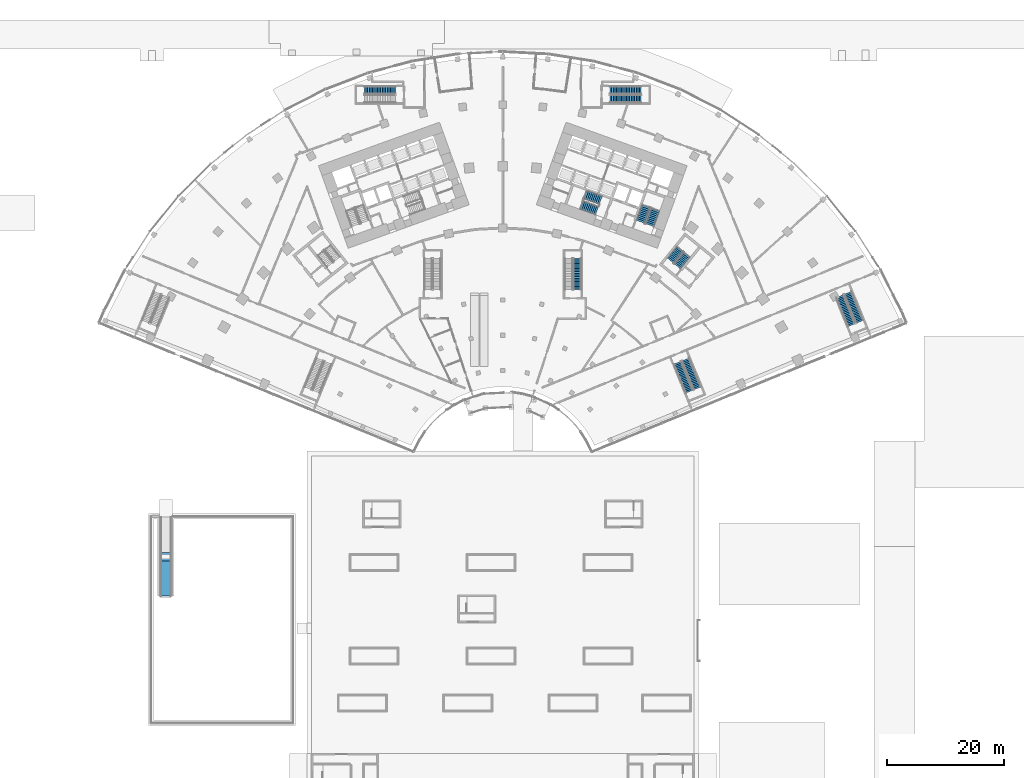
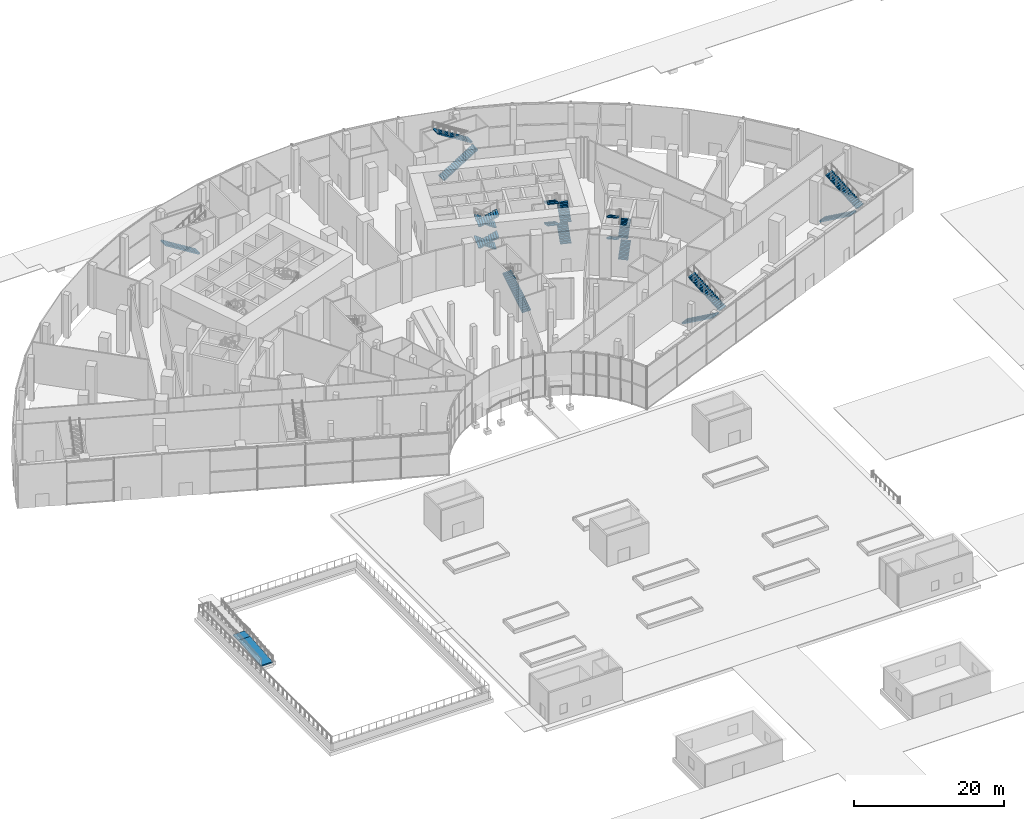
# One storey, part 40 of 60: 20 stair flights, 2 ramp flights, 9 elements without a shape of their own.
"""IFC4 building model written with IfcOpenShell, lengths in metres."""

from ifc_helpers import new_model, si_unit, direction, frame, origin, place, context, subcontext, project, spatial, polyline, outline, extrude, material, layer, layer_set, type_object, element, aggregate, save


model = new_model("IFC4")

# Units and contexts
model_context = context("Model", 3, precision=1e-05, world=origin(), true_north=direction((0.0, 1.0)))
body_context = subcontext(model_context, "Body", "Model", "MODEL_VIEW")
ifc_project = project(units=[si_unit("LENGTHUNIT", "METRE"), si_unit("AREAUNIT", "SQUARE_METRE"), si_unit("VOLUMEUNIT", "CUBIC_METRE"), si_unit("PLANEANGLEUNIT", "RADIAN"), si_unit("MASSUNIT", "GRAM", prefix="KILO")], contexts=[model_context])

# Site, building, storey
site_placement = place(None, origin())
site = spatial("IfcSite", under=ifc_project, at=site_placement, CompositionType="ELEMENT")
building_placement = place(site_placement, origin())
building = spatial("IfcBuilding", under=site, at=building_placement, Name="Stone Belt Terrace Tower", CompositionType="ELEMENT")
storey_placement = place(building_placement, origin())
storey = spatial("IfcBuildingStorey", under=building, at=storey_placement, Name="L00", CompositionType="ELEMENT", Elevation=0.0)

# Stair, stair flights
ifc_material_1 = material(Name="Concrete B30", Category="concrete")
stair_type_1 = type_object("IfcStairType", Name="Podium stair concrete B30", PredefinedType="HALF_TURN_STAIR", material=ifc_material_1)
stair_1_placement = place(storey_placement, origin())
stair_1 = element("IfcStair", 1, at=stair_1_placement, inside=storey, type_object=stair_type_1, Name="L00 podium exit stair 3", PredefinedType="HALF_TURN_STAIR")
ifc_layer_1 = layer(ifc_material_1, 0.14990234375)
ifc_layer_set_1 = layer_set([ifc_layer_1], Name="Podium stair flight concrete B30")
stair_flight_type_1 = type_object("IfcStairFlightType", Name="Podium stair flight concrete B30", PredefinedType="STRAIGHT", material=ifc_layer_set_1)
stair_flight_1_placement = place(storey_placement, frame((29.8671875, 21.395263671875, 0.0), z_axis=(0.0, 0.0, 1.0), x_axis=(0.37924309334, -0.925297074541, 0.0)))
stair_flight_1 = element("IfcStairFlight", 2, at=stair_flight_1_placement, type_object=stair_flight_type_1, Name="PS3 flight 1", NumberOfRisers=20, NumberOfTreads=19, PredefinedType="STRAIGHT", RiserHeight=0.175, TreadLength=0.28, context=body_context, shape_type="SweptSolid", body=[
    extrude(outline(polyline([(0.0, 0.0), (0.0, 0.175048828125), (0.280029296875, 0.175048828125), (0.280029296875, 0.35009765625), (0.56005859375, 0.35009765625), (0.56005859375, 0.52490234375), (0.840087890625, 0.52490234375), (0.840087890625, 0.699951171875), (1.1201171875, 0.699951171875), (1.1201171875, 0.875), (1.39990234375, 0.875), (1.39990234375, 1.050048828125), (1.679931640625, 1.050048828125), (1.679931640625, 1.22509765625), (1.9599609375, 1.22509765625), (1.9599609375, 1.39990234375), (2.239990234375, 1.39990234375), (2.239990234375, 1.574951171875), (2.52001953125, 1.574951171875), (2.52001953125, 1.75), (2.800048828125, 1.75), (2.800048828125, 1.925048828125), (3.080078125, 1.925048828125), (3.080078125, 2.10009765625), (3.360107421875, 2.10009765625), (3.360107421875, 2.27490234375), (3.639892578125, 2.27490234375), (3.639892578125, 2.449951171875), (3.919921875, 2.449951171875), (3.919921875, 2.625), (4.199951171875, 2.625), (4.199951171875, 2.800048828125), (4.47998046875, 2.800048828125), (4.47998046875, 2.97509765625), (4.760009765625, 2.97509765625), (4.760009765625, 3.14990234375), (5.0400390625, 3.14990234375), (5.0400390625, 3.324951171875), (5.320068359375, 3.324951171875), (5.320068359375, 3.5), (5.320068359375, 3.148193359375), (0.28271484375, 0.0), (0.0, 0.0)])), frame((0.0, 0.675048828125, 0.0), z_axis=(0.0, -1.0, 0.0), x_axis=(1.0, 0.0, 0.0)), (0.0, 0.0, 1.0), 1.35009765625),
])
stair_flight_2_placement = place(storey_placement, frame((33.272705078125, 17.04150390625, 3.5), z_axis=(0.0, 0.0, 1.0), x_axis=(-0.37924309334, 0.925297074541, 0.0)))
stair_flight_2 = element("IfcStairFlight", 3, at=stair_flight_2_placement, type_object=stair_flight_type_1, Name="PS3 flight 2", NumberOfRisers=20, NumberOfTreads=19, PredefinedType="STRAIGHT", RiserHeight=0.175, TreadLength=0.28, context=body_context, shape_type="SweptSolid", body=[
    extrude(outline(polyline([(0.0, 0.0), (0.0, 0.175048828125), (0.280029296875, 0.175048828125), (0.280029296875, 0.35009765625), (0.56005859375, 0.35009765625), (0.56005859375, 0.52490234375), (0.840087890625, 0.52490234375), (0.840087890625, 0.699951171875), (1.1201171875, 0.699951171875), (1.1201171875, 0.875), (1.39990234375, 0.875), (1.39990234375, 1.050048828125), (1.679931640625, 1.050048828125), (1.679931640625, 1.22509765625), (1.9599609375, 1.22509765625), (1.9599609375, 1.39990234375), (2.239990234375, 1.39990234375), (2.239990234375, 1.574951171875), (2.52001953125, 1.574951171875), (2.52001953125, 1.75), (2.800048828125, 1.75), (2.800048828125, 1.925048828125), (3.080078125, 1.925048828125), (3.080078125, 2.10009765625), (3.360107421875, 2.10009765625), (3.360107421875, 2.27490234375), (3.639892578125, 2.27490234375), (3.639892578125, 2.449951171875), (3.919921875, 2.449951171875), (3.919921875, 2.625), (4.199951171875, 2.625), (4.199951171875, 2.800048828125), (4.47998046875, 2.800048828125), (4.47998046875, 2.97509765625), (4.760009765625, 2.97509765625), (4.760009765625, 3.14990234375), (5.0400390625, 3.14990234375), (5.0400390625, 3.324951171875), (5.320068359375, 3.324951171875), (5.320068359375, 3.5), (5.320068359375, 3.148193359375), (0.28271484375, 0.0), (0.0, 0.0)])), frame((0.0, 0.675048828125, 0.0), z_axis=(0.0, -1.0, 0.0), x_axis=(1.0, 0.0, 0.0)), (0.0, 0.0, 1.0), 1.35009765625),
])
aggregate(stair_1, [stair_flight_1, stair_flight_2])

stair_2_placement = place(storey_placement, origin())
stair_2 = element("IfcStair", 4, at=stair_2_placement, inside=storey, type_object=stair_type_1, Name="L00 podium exit stair 4", PredefinedType="HALF_TURN_STAIR")
stair_flight_3_placement = place(storey_placement, frame((57.6259765625, 32.7724609375, 0.0), z_axis=(0.0, 0.0, 1.0), x_axis=(0.37924309334, -0.925297074541, 0.0)))
stair_flight_3 = element("IfcStairFlight", 5, at=stair_flight_3_placement, type_object=stair_flight_type_1, Name="PS4 flight 1", NumberOfRisers=20, NumberOfTreads=19, PredefinedType="STRAIGHT", RiserHeight=0.175, TreadLength=0.28, context=body_context, shape_type="SweptSolid", body=[
    extrude(outline(polyline([(0.0, 0.0), (0.0, 0.175048828125), (0.280029296875, 0.175048828125), (0.280029296875, 0.35009765625), (0.56005859375, 0.35009765625), (0.56005859375, 0.52490234375), (0.840087890625, 0.52490234375), (0.840087890625, 0.699951171875), (1.1201171875, 0.699951171875), (1.1201171875, 0.875), (1.39990234375, 0.875), (1.39990234375, 1.050048828125), (1.679931640625, 1.050048828125), (1.679931640625, 1.22509765625), (1.9599609375, 1.22509765625), (1.9599609375, 1.39990234375), (2.239990234375, 1.39990234375), (2.239990234375, 1.574951171875), (2.52001953125, 1.574951171875), (2.52001953125, 1.75), (2.800048828125, 1.75), (2.800048828125, 1.925048828125), (3.080078125, 1.925048828125), (3.080078125, 2.10009765625), (3.360107421875, 2.10009765625), (3.360107421875, 2.27490234375), (3.639892578125, 2.27490234375), (3.639892578125, 2.449951171875), (3.919921875, 2.449951171875), (3.919921875, 2.625), (4.199951171875, 2.625), (4.199951171875, 2.800048828125), (4.47998046875, 2.800048828125), (4.47998046875, 2.97509765625), (4.760009765625, 2.97509765625), (4.760009765625, 3.14990234375), (5.0400390625, 3.14990234375), (5.0400390625, 3.324951171875), (5.320068359375, 3.324951171875), (5.320068359375, 3.5), (5.320068359375, 3.148193359375), (0.28271484375, 0.0), (0.0, 0.0)])), frame((0.0, 0.675048828125, 0.0), z_axis=(0.0, -1.0, 0.0), x_axis=(1.0, 0.0, 0.0)), (0.0, 0.0, 1.0), 1.35009765625),
])
stair_flight_4_placement = place(storey_placement, frame((61.031494140625, 28.418701171875, 3.5), z_axis=(0.0, 0.0, 1.0), x_axis=(-0.37924309334, 0.925297074541, 0.0)))
stair_flight_4 = element("IfcStairFlight", 6, at=stair_flight_4_placement, type_object=stair_flight_type_1, Name="PS4 flight 2", NumberOfRisers=20, NumberOfTreads=19, PredefinedType="STRAIGHT", RiserHeight=0.175, TreadLength=0.28, context=body_context, shape_type="SweptSolid", body=[
    extrude(outline(polyline([(0.0, 0.0), (0.0, 0.175048828125), (0.280029296875, 0.175048828125), (0.280029296875, 0.35009765625), (0.56005859375, 0.35009765625), (0.56005859375, 0.52490234375), (0.840087890625, 0.52490234375), (0.840087890625, 0.699951171875), (1.1201171875, 0.699951171875), (1.1201171875, 0.875), (1.39990234375, 0.875), (1.39990234375, 1.050048828125), (1.679931640625, 1.050048828125), (1.679931640625, 1.22509765625), (1.9599609375, 1.22509765625), (1.9599609375, 1.39990234375), (2.239990234375, 1.39990234375), (2.239990234375, 1.574951171875), (2.52001953125, 1.574951171875), (2.52001953125, 1.75), (2.800048828125, 1.75), (2.800048828125, 1.925048828125), (3.080078125, 1.925048828125), (3.080078125, 2.10009765625), (3.360107421875, 2.10009765625), (3.360107421875, 2.27490234375), (3.639892578125, 2.27490234375), (3.639892578125, 2.449951171875), (3.919921875, 2.449951171875), (3.919921875, 2.625), (4.199951171875, 2.625), (4.199951171875, 2.800048828125), (4.47998046875, 2.800048828125), (4.47998046875, 2.97509765625), (4.760009765625, 2.97509765625), (4.760009765625, 3.14990234375), (5.0400390625, 3.14990234375), (5.0400390625, 3.324951171875), (5.320068359375, 3.324951171875), (5.320068359375, 3.5), (5.320068359375, 3.148193359375), (0.28271484375, 0.0), (0.0, 0.0)])), frame((0.0, 0.675048828125, 0.0), z_axis=(0.0, -1.0, 0.0), x_axis=(1.0, 0.0, 0.0)), (0.0, 0.0, 1.0), 1.35009765625),
])
aggregate(stair_2, [stair_flight_3, stair_flight_4])

# Stair, stair flight
stair_3_placement = place(storey_placement, origin())
stair_3 = element("IfcStair", 7, at=stair_3_placement, inside=storey, type_object=stair_type_1, Name="L00 podium exit stair 6", PredefinedType="HALF_TURN_STAIR")
stair_flight_5_placement = place(storey_placement, frame((12.75, 33.889892578125, 0.0), z_axis=(0.0, 0.0, 1.0), x_axis=(0.0, 1.0, 0.0)))
stair_flight_5 = element("IfcStairFlight", 8, at=stair_flight_5_placement, type_object=stair_flight_type_1, Name="PS6 flight 1", NumberOfRisers=20, NumberOfTreads=19, PredefinedType="STRAIGHT", RiserHeight=0.175, TreadLength=0.28, context=body_context, shape_type="SweptSolid", body=[
    extrude(outline(polyline([(0.0, 0.0), (0.0, 0.175048828125), (0.280029296875, 0.175048828125), (0.280029296875, 0.35009765625), (0.56005859375, 0.35009765625), (0.56005859375, 0.52490234375), (0.840087890625, 0.52490234375), (0.840087890625, 0.699951171875), (1.1201171875, 0.699951171875), (1.1201171875, 0.875), (1.39990234375, 0.875), (1.39990234375, 1.050048828125), (1.679931640625, 1.050048828125), (1.679931640625, 1.22509765625), (1.9599609375, 1.22509765625), (1.9599609375, 1.39990234375), (2.239990234375, 1.39990234375), (2.239990234375, 1.574951171875), (2.52001953125, 1.574951171875), (2.52001953125, 1.75), (2.800048828125, 1.75), (2.800048828125, 1.925048828125), (3.080078125, 1.925048828125), (3.080078125, 2.10009765625), (3.360107421875, 2.10009765625), (3.360107421875, 2.27490234375), (3.639892578125, 2.27490234375), (3.639892578125, 2.449951171875), (3.919921875, 2.449951171875), (3.919921875, 2.625), (4.199951171875, 2.625), (4.199951171875, 2.800048828125), (4.47998046875, 2.800048828125), (4.47998046875, 2.97509765625), (4.760009765625, 2.97509765625), (4.760009765625, 3.14990234375), (5.0400390625, 3.14990234375), (5.0400390625, 3.324951171875), (5.320068359375, 3.324951171875), (5.320068359375, 3.5), (5.320068359375, 3.148193359375), (0.28271484375, 0.0), (0.0, 0.0)])), frame((0.0, 0.675048828125, 0.0), z_axis=(0.0, -1.0, 0.0), x_axis=(1.0, 0.0, 0.0)), (0.0, 0.0, 1.0), 1.35009765625),
])
aggregate(stair_3, [stair_flight_5])

stair_4_placement = place(storey_placement, origin())
stair_4 = element("IfcStair", 9, at=stair_4_placement, inside=storey, type_object=stair_type_1, Name="L00 podium exit stair 7", PredefinedType="HALF_TURN_STAIR")
stair_flight_6_placement = place(storey_placement, frame((-18.340087890625, 68.0, 0.0), z_axis=(0.0, 0.0, 1.0), x_axis=(-1.0, 0.0, 0.0)))
stair_flight_6 = element("IfcStairFlight", 10, at=stair_flight_6_placement, type_object=stair_flight_type_1, Name="PS7 flight 1", NumberOfRisers=20, NumberOfTreads=19, PredefinedType="STRAIGHT", RiserHeight=0.175, TreadLength=0.28, context=body_context, shape_type="SweptSolid", body=[
    extrude(outline(polyline([(0.0, 0.0), (0.0, 0.175048828125), (0.280029296875, 0.175048828125), (0.280029296875, 0.35009765625), (0.56005859375, 0.35009765625), (0.56005859375, 0.52490234375), (0.840087890625, 0.52490234375), (0.840087890625, 0.699951171875), (1.1201171875, 0.699951171875), (1.1201171875, 0.875), (1.39990234375, 0.875), (1.39990234375, 1.050048828125), (1.679931640625, 1.050048828125), (1.679931640625, 1.22509765625), (1.9599609375, 1.22509765625), (1.9599609375, 1.39990234375), (2.239990234375, 1.39990234375), (2.239990234375, 1.574951171875), (2.52001953125, 1.574951171875), (2.52001953125, 1.75), (2.800048828125, 1.75), (2.800048828125, 1.925048828125), (3.080078125, 1.925048828125), (3.080078125, 2.10009765625), (3.360107421875, 2.10009765625), (3.360107421875, 2.27490234375), (3.639892578125, 2.27490234375), (3.639892578125, 2.449951171875), (3.919921875, 2.449951171875), (3.919921875, 2.625), (4.199951171875, 2.625), (4.199951171875, 2.800048828125), (4.47998046875, 2.800048828125), (4.47998046875, 2.97509765625), (4.760009765625, 2.97509765625), (4.760009765625, 3.14990234375), (5.0400390625, 3.14990234375), (5.0400390625, 3.324951171875), (5.320068359375, 3.324951171875), (5.320068359375, 3.5), (5.320068359375, 3.148193359375), (0.28271484375, 0.0), (0.0, 0.0)])), frame((0.0, 0.675048828125, 0.0), z_axis=(0.0, -1.0, 0.0), x_axis=(1.0, 0.0, 0.0)), (0.0, 0.0, 1.0), 1.35009765625),
])
aggregate(stair_4, [stair_flight_6])

# Stair, stair flights
stair_5_placement = place(storey_placement, origin())
stair_5 = element("IfcStair", 11, at=stair_5_placement, inside=storey, type_object=stair_type_1, Name="L00 podium exit stair 8", PredefinedType="HALF_TURN_STAIR")
stair_flight_7_placement = place(storey_placement, frame((18.340087890625, 66.5, 0.0), z_axis=(0.0, 0.0, 1.0), x_axis=(1.0, 0.0, 0.0)))
stair_flight_7 = element("IfcStairFlight", 12, at=stair_flight_7_placement, type_object=stair_flight_type_1, Name="PS8 flight 1", NumberOfRisers=20, NumberOfTreads=19, PredefinedType="STRAIGHT", RiserHeight=0.175, TreadLength=0.28, context=body_context, shape_type="SweptSolid", body=[
    extrude(outline(polyline([(0.0, 0.0), (0.0, 0.175048828125), (0.280029296875, 0.175048828125), (0.280029296875, 0.35009765625), (0.56005859375, 0.35009765625), (0.56005859375, 0.52490234375), (0.840087890625, 0.52490234375), (0.840087890625, 0.699951171875), (1.1201171875, 0.699951171875), (1.1201171875, 0.875), (1.39990234375, 0.875), (1.39990234375, 1.050048828125), (1.679931640625, 1.050048828125), (1.679931640625, 1.22509765625), (1.9599609375, 1.22509765625), (1.9599609375, 1.39990234375), (2.239990234375, 1.39990234375), (2.239990234375, 1.574951171875), (2.52001953125, 1.574951171875), (2.52001953125, 1.75), (2.800048828125, 1.75), (2.800048828125, 1.925048828125), (3.080078125, 1.925048828125), (3.080078125, 2.10009765625), (3.360107421875, 2.10009765625), (3.360107421875, 2.27490234375), (3.639892578125, 2.27490234375), (3.639892578125, 2.449951171875), (3.919921875, 2.449951171875), (3.919921875, 2.625), (4.199951171875, 2.625), (4.199951171875, 2.800048828125), (4.47998046875, 2.800048828125), (4.47998046875, 2.97509765625), (4.760009765625, 2.97509765625), (4.760009765625, 3.14990234375), (5.0400390625, 3.14990234375), (5.0400390625, 3.324951171875), (5.320068359375, 3.324951171875), (5.320068359375, 3.5), (5.320068359375, 3.148193359375), (0.28271484375, 0.0), (0.0, 0.0)])), frame((0.0, 0.675048828125, 0.0), z_axis=(0.0, -1.0, 0.0), x_axis=(1.0, 0.0, 0.0)), (0.0, 0.0, 1.0), 1.35009765625),
])
stair_flight_8_placement = place(storey_placement, frame((23.659912109375, 68.0, 3.5), z_axis=(0.0, 0.0, 1.0), x_axis=(-1.0, 0.0, 0.0)))
stair_flight_8 = element("IfcStairFlight", 13, at=stair_flight_8_placement, type_object=stair_flight_type_1, Name="PS8 flight 2", NumberOfRisers=20, NumberOfTreads=19, PredefinedType="STRAIGHT", RiserHeight=0.175, TreadLength=0.28, context=body_context, shape_type="SweptSolid", body=[
    extrude(outline(polyline([(0.0, 0.0), (0.0, 0.175048828125), (0.280029296875, 0.175048828125), (0.280029296875, 0.35009765625), (0.56005859375, 0.35009765625), (0.56005859375, 0.52490234375), (0.840087890625, 0.52490234375), (0.840087890625, 0.699951171875), (1.1201171875, 0.699951171875), (1.1201171875, 0.875), (1.39990234375, 0.875), (1.39990234375, 1.050048828125), (1.679931640625, 1.050048828125), (1.679931640625, 1.22509765625), (1.9599609375, 1.22509765625), (1.9599609375, 1.39990234375), (2.239990234375, 1.39990234375), (2.239990234375, 1.574951171875), (2.52001953125, 1.574951171875), (2.52001953125, 1.75), (2.800048828125, 1.75), (2.800048828125, 1.925048828125), (3.080078125, 1.925048828125), (3.080078125, 2.10009765625), (3.360107421875, 2.10009765625), (3.360107421875, 2.27490234375), (3.639892578125, 2.27490234375), (3.639892578125, 2.449951171875), (3.919921875, 2.449951171875), (3.919921875, 2.625), (4.199951171875, 2.625), (4.199951171875, 2.800048828125), (4.47998046875, 2.800048828125), (4.47998046875, 2.97509765625), (4.760009765625, 2.97509765625), (4.760009765625, 3.14990234375), (5.0400390625, 3.14990234375), (5.0400390625, 3.324951171875), (5.320068359375, 3.324951171875), (5.320068359375, 3.5), (5.320068359375, 3.148193359375), (0.28271484375, 0.0), (0.0, 0.0)])), frame((0.0, 0.675048828125, 0.0), z_axis=(0.0, -1.0, 0.0), x_axis=(1.0, 0.0, 0.0)), (0.0, 0.0, 1.0), 1.35009765625),
])
aggregate(stair_5, [stair_flight_7, stair_flight_8])

ifc_material_2 = material(Name="Concrete B40", Category="concrete")
stair_type_2 = type_object("IfcStairType", Name="Exit stair 1500", PredefinedType="HALF_TURN_STAIR", material=ifc_material_2)
stair_6_placement = place(storey_placement, origin())
stair_6 = element("IfcStair", 14, at=stair_6_placement, inside=storey, type_object=stair_type_2, Name="L00 Exit stair 1 core B", PredefinedType="HALF_TURN_STAIR")
stair_flight_type_2 = type_object("IfcStairFlightType", Name="Stair flight 1500", PredefinedType="STRAIGHT", material=ifc_material_2)
stair_flight_9_placement = place(storey_placement, frame((25.15283203125, 44.9375, 0.0), z_axis=(0.0, 0.0, 1.0), x_axis=(0.338624396177, 0.940921632398, 0.0)))
stair_flight_9 = element("IfcStairFlight", 15, at=stair_flight_9_placement, type_object=stair_flight_type_2, Name="ST1B flight 1", NumberOfRisers=10, NumberOfTreads=9, PredefinedType="STRAIGHT", RiserHeight=0.175, TreadLength=0.31, context=body_context, shape_type="SweptSolid", body=[
    extrude(outline(polyline([(0.0, 0.0), (0.0, 0.175048828125), (0.31005859375, 0.175048828125), (0.31005859375, 0.35009765625), (0.6201171875, 0.35009765625), (0.6201171875, 0.52490234375), (0.929931640625, 0.52490234375), (0.929931640625, 0.699951171875), (1.239990234375, 0.699951171875), (1.239990234375, 0.875), (1.550048828125, 0.875), (1.550048828125, 1.050048828125), (1.860107421875, 1.050048828125), (1.860107421875, 1.22509765625), (2.169921875, 1.22509765625), (2.169921875, 1.39990234375), (2.47998046875, 1.39990234375), (2.47998046875, 1.574951171875), (2.7900390625, 1.574951171875), (2.7900390625, 1.75), (2.7900390625, 1.40283203125), (0.304931640625, 0.0), (0.0, 0.0)])), frame((0.0, 0.75, 0.0), z_axis=(0.0, -1.0, 0.0), x_axis=(1.0, 0.0, 0.0)), (0.0, 0.0, 1.0), 1.5),
])
stair_flight_10_placement = place(storey_placement, frame((24.498046875, 48.13818359375, 1.75), z_axis=(0.0, 0.0, 1.0), x_axis=(-0.338624396177, -0.940921632398, 0.0)))
stair_flight_10 = element("IfcStairFlight", 16, at=stair_flight_10_placement, type_object=stair_flight_type_2, Name="ST1B flight 2", NumberOfRisers=10, NumberOfTreads=9, PredefinedType="STRAIGHT", RiserHeight=0.175, TreadLength=0.31, context=body_context, shape_type="SweptSolid", body=[
    extrude(outline(polyline([(0.0, 0.0), (0.0, 0.175048828125), (0.31005859375, 0.175048828125), (0.31005859375, 0.35009765625), (0.6201171875, 0.35009765625), (0.6201171875, 0.52490234375), (0.929931640625, 0.52490234375), (0.929931640625, 0.699951171875), (1.239990234375, 0.699951171875), (1.239990234375, 0.875), (1.550048828125, 0.875), (1.550048828125, 1.050048828125), (1.860107421875, 1.050048828125), (1.860107421875, 1.22509765625), (2.169921875, 1.22509765625), (2.169921875, 1.39990234375), (2.47998046875, 1.39990234375), (2.47998046875, 1.574951171875), (2.7900390625, 1.574951171875), (2.7900390625, 1.75), (2.7900390625, 1.40283203125), (0.304931640625, 0.0), (0.0, 0.0)])), frame((0.0, 0.75, 0.0), z_axis=(0.0, -1.0, 0.0), x_axis=(1.0, 0.0, 0.0)), (0.0, 0.0, 1.0), 1.5),
])
stair_flight_11_placement = place(storey_placement, frame((25.15283203125, 44.9375, 3.5), z_axis=(0.0, 0.0, 1.0), x_axis=(0.338624396177, 0.940921632398, 0.0)))
stair_flight_11 = element("IfcStairFlight", 17, at=stair_flight_11_placement, type_object=stair_flight_type_2, Name="ST1B flight 3", NumberOfRisers=10, NumberOfTreads=9, PredefinedType="STRAIGHT", RiserHeight=0.175, TreadLength=0.31, context=body_context, shape_type="SweptSolid", body=[
    extrude(outline(polyline([(0.0, 0.0), (0.0, 0.175048828125), (0.31005859375, 0.175048828125), (0.31005859375, 0.35009765625), (0.6201171875, 0.35009765625), (0.6201171875, 0.52490234375), (0.929931640625, 0.52490234375), (0.929931640625, 0.699951171875), (1.239990234375, 0.699951171875), (1.239990234375, 0.875), (1.550048828125, 0.875), (1.550048828125, 1.050048828125), (1.860107421875, 1.050048828125), (1.860107421875, 1.22509765625), (2.169921875, 1.22509765625), (2.169921875, 1.39990234375), (2.47998046875, 1.39990234375), (2.47998046875, 1.574951171875), (2.7900390625, 1.574951171875), (2.7900390625, 1.75), (2.7900390625, 1.40283203125), (0.304931640625, 0.0), (0.0, 0.0)])), frame((0.0, 0.75, 0.0), z_axis=(0.0, -1.0, 0.0), x_axis=(1.0, 0.0, 0.0)), (0.0, 0.0, 1.0), 1.5),
])
stair_flight_12_placement = place(storey_placement, frame((24.498046875, 48.13818359375, 5.25), z_axis=(0.0, 0.0, 1.0), x_axis=(-0.338624396177, -0.940921632398, 0.0)))
stair_flight_12 = element("IfcStairFlight", 18, at=stair_flight_12_placement, type_object=stair_flight_type_2, Name="ST1B flight 4", NumberOfRisers=10, NumberOfTreads=9, PredefinedType="STRAIGHT", RiserHeight=0.175, TreadLength=0.31, context=body_context, shape_type="SweptSolid", body=[
    extrude(outline(polyline([(0.0, 0.0), (0.0, 0.175048828125), (0.31005859375, 0.175048828125), (0.31005859375, 0.35009765625), (0.6201171875, 0.35009765625), (0.6201171875, 0.52490234375), (0.929931640625, 0.52490234375), (0.929931640625, 0.699951171875), (1.239990234375, 0.699951171875), (1.239990234375, 0.875), (1.550048828125, 0.875), (1.550048828125, 1.050048828125), (1.860107421875, 1.050048828125), (1.860107421875, 1.22509765625), (2.169921875, 1.22509765625), (2.169921875, 1.39990234375), (2.47998046875, 1.39990234375), (2.47998046875, 1.574951171875), (2.7900390625, 1.574951171875), (2.7900390625, 1.75), (2.7900390625, 1.40283203125), (0.304931640625, 0.0), (0.0, 0.0)])), frame((0.0, 0.75, 0.0), z_axis=(0.0, -1.0, 0.0), x_axis=(1.0, 0.0, 0.0)), (0.0, 0.0, 1.0), 1.5),
])
aggregate(stair_6, [stair_flight_9, stair_flight_10, stair_flight_11, stair_flight_12])

stair_7_placement = place(storey_placement, origin())
stair_7 = element("IfcStair", 19, at=stair_7_placement, inside=storey, type_object=stair_type_2, Name="L00 Exit stair 2 core B", PredefinedType="HALF_TURN_STAIR")
stair_flight_13_placement = place(storey_placement, frame((16.74462890625, 49.185546875, 0.0), z_axis=(0.0, 0.0, 1.0), x_axis=(-0.940921632398, 0.338624396177, 0.0)))
stair_flight_13 = element("IfcStairFlight", 20, at=stair_flight_13_placement, type_object=stair_flight_type_2, Name="ST2B flight 1", NumberOfRisers=10, NumberOfTreads=9, PredefinedType="STRAIGHT", RiserHeight=0.175, TreadLength=0.31, context=body_context, shape_type="SweptSolid", body=[
    extrude(outline(polyline([(0.0, 0.0), (0.0, 0.175048828125), (0.31005859375, 0.175048828125), (0.31005859375, 0.35009765625), (0.6201171875, 0.35009765625), (0.6201171875, 0.52490234375), (0.929931640625, 0.52490234375), (0.929931640625, 0.699951171875), (1.239990234375, 0.699951171875), (1.239990234375, 0.875), (1.550048828125, 0.875), (1.550048828125, 1.050048828125), (1.860107421875, 1.050048828125), (1.860107421875, 1.22509765625), (2.169921875, 1.22509765625), (2.169921875, 1.39990234375), (2.47998046875, 1.39990234375), (2.47998046875, 1.574951171875), (2.7900390625, 1.574951171875), (2.7900390625, 1.75), (2.7900390625, 1.40283203125), (0.304931640625, 0.0), (0.0, 0.0)])), frame((0.0, 0.75, 0.0), z_axis=(0.0, -1.0, 0.0), x_axis=(1.0, 0.0, 0.0)), (0.0, 0.0, 1.0), 1.5),
])
stair_flight_14_placement = place(storey_placement, frame((13.47607421875, 48.3427734375, 1.75), z_axis=(0.0, 0.0, 1.0), x_axis=(0.940921632398, -0.338624396177, 0.0)))
stair_flight_14 = element("IfcStairFlight", 21, at=stair_flight_14_placement, type_object=stair_flight_type_2, Name="ST2B flight 2", NumberOfRisers=10, NumberOfTreads=9, PredefinedType="STRAIGHT", RiserHeight=0.175, TreadLength=0.31, context=body_context, shape_type="SweptSolid", body=[
    extrude(outline(polyline([(0.0, 0.0), (0.0, 0.175048828125), (0.31005859375, 0.175048828125), (0.31005859375, 0.35009765625), (0.6201171875, 0.35009765625), (0.6201171875, 0.52490234375), (0.929931640625, 0.52490234375), (0.929931640625, 0.699951171875), (1.239990234375, 0.699951171875), (1.239990234375, 0.875), (1.550048828125, 0.875), (1.550048828125, 1.050048828125), (1.860107421875, 1.050048828125), (1.860107421875, 1.22509765625), (2.169921875, 1.22509765625), (2.169921875, 1.39990234375), (2.47998046875, 1.39990234375), (2.47998046875, 1.574951171875), (2.7900390625, 1.574951171875), (2.7900390625, 1.75), (2.7900390625, 1.40283203125), (0.304931640625, 0.0), (0.0, 0.0)])), frame((0.0, 0.75, 0.0), z_axis=(0.0, -1.0, 0.0), x_axis=(1.0, 0.0, 0.0)), (0.0, 0.0, 1.0), 1.5),
])
stair_flight_15_placement = place(storey_placement, frame((16.74462890625, 49.185546875, 3.5), z_axis=(0.0, 0.0, 1.0), x_axis=(-0.940921632398, 0.338624396177, 0.0)))
stair_flight_15 = element("IfcStairFlight", 22, at=stair_flight_15_placement, type_object=stair_flight_type_2, Name="ST2B flight 3", NumberOfRisers=10, NumberOfTreads=9, PredefinedType="STRAIGHT", RiserHeight=0.175, TreadLength=0.31, context=body_context, shape_type="SweptSolid", body=[
    extrude(outline(polyline([(0.0, 0.0), (0.0, 0.175048828125), (0.31005859375, 0.175048828125), (0.31005859375, 0.35009765625), (0.6201171875, 0.35009765625), (0.6201171875, 0.52490234375), (0.929931640625, 0.52490234375), (0.929931640625, 0.699951171875), (1.239990234375, 0.699951171875), (1.239990234375, 0.875), (1.550048828125, 0.875), (1.550048828125, 1.050048828125), (1.860107421875, 1.050048828125), (1.860107421875, 1.22509765625), (2.169921875, 1.22509765625), (2.169921875, 1.39990234375), (2.47998046875, 1.39990234375), (2.47998046875, 1.574951171875), (2.7900390625, 1.574951171875), (2.7900390625, 1.75), (2.7900390625, 1.40283203125), (0.304931640625, 0.0), (0.0, 0.0)])), frame((0.0, 0.75, 0.0), z_axis=(0.0, -1.0, 0.0), x_axis=(1.0, 0.0, 0.0)), (0.0, 0.0, 1.0), 1.5),
])
stair_flight_16_placement = place(storey_placement, frame((13.47607421875, 48.3427734375, 5.25), z_axis=(0.0, 0.0, 1.0), x_axis=(0.940921632398, -0.338624396177, 0.0)))
stair_flight_16 = element("IfcStairFlight", 23, at=stair_flight_16_placement, type_object=stair_flight_type_2, Name="ST2B flight 4", NumberOfRisers=10, NumberOfTreads=9, PredefinedType="STRAIGHT", RiserHeight=0.175, TreadLength=0.31, context=body_context, shape_type="SweptSolid", body=[
    extrude(outline(polyline([(0.0, 0.0), (0.0, 0.175048828125), (0.31005859375, 0.175048828125), (0.31005859375, 0.35009765625), (0.6201171875, 0.35009765625), (0.6201171875, 0.52490234375), (0.929931640625, 0.52490234375), (0.929931640625, 0.699951171875), (1.239990234375, 0.699951171875), (1.239990234375, 0.875), (1.550048828125, 0.875), (1.550048828125, 1.050048828125), (1.860107421875, 1.050048828125), (1.860107421875, 1.22509765625), (2.169921875, 1.22509765625), (2.169921875, 1.39990234375), (2.47998046875, 1.39990234375), (2.47998046875, 1.574951171875), (2.7900390625, 1.574951171875), (2.7900390625, 1.75), (2.7900390625, 1.40283203125), (0.304931640625, 0.0), (0.0, 0.0)])), frame((0.0, 0.75, 0.0), z_axis=(0.0, -1.0, 0.0), x_axis=(1.0, 0.0, 0.0)), (0.0, 0.0, 1.0), 1.5),
])
aggregate(stair_7, [stair_flight_13, stair_flight_14, stair_flight_15, stair_flight_16])

stair_8_placement = place(storey_placement, origin())
stair_8 = element("IfcStair", 24, at=stair_8_placement, inside=storey, type_object=stair_type_2, Name="L00 Exit stair 3B", PredefinedType="HALF_TURN_STAIR")
stair_flight_17_placement = place(storey_placement, frame((29.88330078125, 37.887939453125, 0.0), z_axis=(0.0, 0.0, 1.0), x_axis=(0.630205749599, 0.776428176441, 0.0)))
stair_flight_17 = element("IfcStairFlight", 25, at=stair_flight_17_placement, type_object=stair_flight_type_2, Name="ST3B flight 1", NumberOfRisers=10, NumberOfTreads=9, PredefinedType="STRAIGHT", RiserHeight=0.175, TreadLength=0.28, context=body_context, shape_type="SweptSolid", body=[
    extrude(outline(polyline([(0.0, 0.0), (0.0, 0.175048828125), (0.280029296875, 0.175048828125), (0.280029296875, 0.35009765625), (0.56005859375, 0.35009765625), (0.56005859375, 0.52490234375), (0.840087890625, 0.52490234375), (0.840087890625, 0.699951171875), (1.1201171875, 0.699951171875), (1.1201171875, 0.875), (1.39990234375, 0.875), (1.39990234375, 1.050048828125), (1.679931640625, 1.050048828125), (1.679931640625, 1.22509765625), (1.9599609375, 1.22509765625), (1.9599609375, 1.39990234375), (2.239990234375, 1.39990234375), (2.239990234375, 1.574951171875), (2.52001953125, 1.574951171875), (2.52001953125, 1.75), (2.52001953125, 1.398193359375), (0.28271484375, 0.0), (0.0, 0.0)])), frame((0.0, 0.675048828125, 0.0), z_axis=(0.0, -1.0, 0.0), x_axis=(1.0, 0.0, 0.0)), (0.0, 0.0, 1.0), 1.35009765625),
])
stair_flight_18_placement = place(storey_placement, frame((30.26806640625, 40.821533203125, 1.75), z_axis=(0.0, 0.0, 1.0), x_axis=(-0.630205749599, -0.776428176441, 0.0)))
stair_flight_18 = element("IfcStairFlight", 26, at=stair_flight_18_placement, type_object=stair_flight_type_2, Name="ST3B flight 2", NumberOfRisers=10, NumberOfTreads=9, PredefinedType="STRAIGHT", RiserHeight=0.175, TreadLength=0.28, context=body_context, shape_type="SweptSolid", body=[
    extrude(outline(polyline([(0.0, 0.0), (0.0, 0.175048828125), (0.280029296875, 0.175048828125), (0.280029296875, 0.35009765625), (0.56005859375, 0.35009765625), (0.56005859375, 0.52490234375), (0.840087890625, 0.52490234375), (0.840087890625, 0.699951171875), (1.1201171875, 0.699951171875), (1.1201171875, 0.875), (1.39990234375, 0.875), (1.39990234375, 1.050048828125), (1.679931640625, 1.050048828125), (1.679931640625, 1.22509765625), (1.9599609375, 1.22509765625), (1.9599609375, 1.39990234375), (2.239990234375, 1.39990234375), (2.239990234375, 1.574951171875), (2.52001953125, 1.574951171875), (2.52001953125, 1.75), (2.52001953125, 1.398193359375), (0.28271484375, 0.0), (0.0, 0.0)])), frame((0.0, 0.675048828125, 0.0), z_axis=(0.0, -1.0, 0.0), x_axis=(1.0, 0.0, 0.0)), (0.0, 0.0, 1.0), 1.35009765625),
])
stair_flight_19_placement = place(storey_placement, frame((29.88330078125, 37.887939453125, 3.5), z_axis=(0.0, 0.0, 1.0), x_axis=(0.630205749599, 0.776428176441, 0.0)))
stair_flight_19 = element("IfcStairFlight", 27, at=stair_flight_19_placement, type_object=stair_flight_type_2, Name="ST3B flight 3", NumberOfRisers=10, NumberOfTreads=9, PredefinedType="STRAIGHT", RiserHeight=0.175, TreadLength=0.28, context=body_context, shape_type="SweptSolid", body=[
    extrude(outline(polyline([(0.0, 0.0), (0.0, 0.175048828125), (0.280029296875, 0.175048828125), (0.280029296875, 0.35009765625), (0.56005859375, 0.35009765625), (0.56005859375, 0.52490234375), (0.840087890625, 0.52490234375), (0.840087890625, 0.699951171875), (1.1201171875, 0.699951171875), (1.1201171875, 0.875), (1.39990234375, 0.875), (1.39990234375, 1.050048828125), (1.679931640625, 1.050048828125), (1.679931640625, 1.22509765625), (1.9599609375, 1.22509765625), (1.9599609375, 1.39990234375), (2.239990234375, 1.39990234375), (2.239990234375, 1.574951171875), (2.52001953125, 1.574951171875), (2.52001953125, 1.75), (2.52001953125, 1.398193359375), (0.28271484375, 0.0), (0.0, 0.0)])), frame((0.0, 0.675048828125, 0.0), z_axis=(0.0, -1.0, 0.0), x_axis=(1.0, 0.0, 0.0)), (0.0, 0.0, 1.0), 1.35009765625),
])
stair_flight_20_placement = place(storey_placement, frame((30.26806640625, 40.821533203125, 5.25), z_axis=(0.0, 0.0, 1.0), x_axis=(-0.630205749599, -0.776428176441, 0.0)))
stair_flight_20 = element("IfcStairFlight", 28, at=stair_flight_20_placement, type_object=stair_flight_type_2, Name="ST3B flight 4", NumberOfRisers=10, NumberOfTreads=9, PredefinedType="STRAIGHT", RiserHeight=0.175, TreadLength=0.28, context=body_context, shape_type="SweptSolid", body=[
    extrude(outline(polyline([(0.0, 0.0), (0.0, 0.175048828125), (0.280029296875, 0.175048828125), (0.280029296875, 0.35009765625), (0.56005859375, 0.35009765625), (0.56005859375, 0.52490234375), (0.840087890625, 0.52490234375), (0.840087890625, 0.699951171875), (1.1201171875, 0.699951171875), (1.1201171875, 0.875), (1.39990234375, 0.875), (1.39990234375, 1.050048828125), (1.679931640625, 1.050048828125), (1.679931640625, 1.22509765625), (1.9599609375, 1.22509765625), (1.9599609375, 1.39990234375), (2.239990234375, 1.39990234375), (2.239990234375, 1.574951171875), (2.52001953125, 1.574951171875), (2.52001953125, 1.75), (2.52001953125, 1.398193359375), (0.28271484375, 0.0), (0.0, 0.0)])), frame((0.0, 0.675048828125, 0.0), z_axis=(0.0, -1.0, 0.0), x_axis=(1.0, 0.0, 0.0)), (0.0, 0.0, 1.0), 1.35009765625),
])
aggregate(stair_8, [stair_flight_17, stair_flight_18, stair_flight_19, stair_flight_20])

# Ramp, ramp flights
ramp_placement = place(storey_placement, origin())
ramp = element("IfcRamp", 29, at=ramp_placement, inside=storey, Name="Rain garden court accessible ramp", PredefinedType="STRAIGHT_RUN_RAMP")
ifc_layer_2 = layer(ifc_material_1, 0.199951171875)
ifc_layer_set_2 = layer_set([ifc_layer_2], Name="Garden ramp flight 200")
ramp_flight_type = type_object("IfcRampFlightType", Name="Garden ramp flight 200", PredefinedType="STRAIGHT", material=ifc_layer_set_2)
ramp_flight_1_placement = place(storey_placement, frame((-58.5, -11.0, -0.699951171875), z_axis=(-1.0, 0.0, 0.0), x_axis=(0.0, -1.0, 0.0)))
ramp_flight_1 = element("IfcRampFlight", 30, at=ramp_flight_1_placement, type_object=ramp_flight_type, Name="Rain garden court accessible ramp flight 2", PredefinedType="STRAIGHT", context=body_context, shape_type="SweptSolid", body=[
    extrude(outline(polyline([(0.0, 0.0), (1.5, 0.0), (1.5, 0.199951171875), (0.0, 0.199951171875), (0.0, 0.0)])), origin(), (0.0, 0.0, -1.0), 1.800048828125),
])
ramp_flight_2_placement = place(storey_placement, frame((-58.5, -12.5, -0.699951171875), z_axis=(-1.0, 0.0, 0.0), x_axis=(0.0, -0.996545758245, -0.083045479854)))
ramp_flight_2 = element("IfcRampFlight", 31, at=ramp_flight_2_placement, type_object=ramp_flight_type, Name="Rain garden court accessible ramp flight 3", PredefinedType="STRAIGHT", context=body_context, shape_type="SweptSolid", body=[
    extrude(outline(polyline([(0.0, 0.0), (6.020797289396148, 5.551115123125783e-17), (6.0041922483804715, 0.1992604921881242), (-0.016605041015677013, 0.19926049218812414), (0.0, 0.0)])), origin(), (0.0, 0.0, -1.0), 1.800048828125),
])
aggregate(ramp, [ramp_flight_1, ramp_flight_2])

save(model, "model.ifc")
